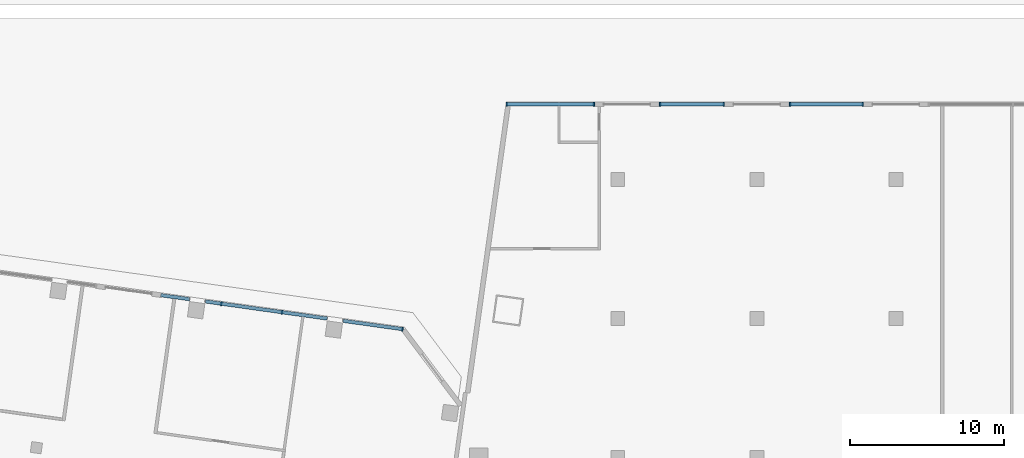
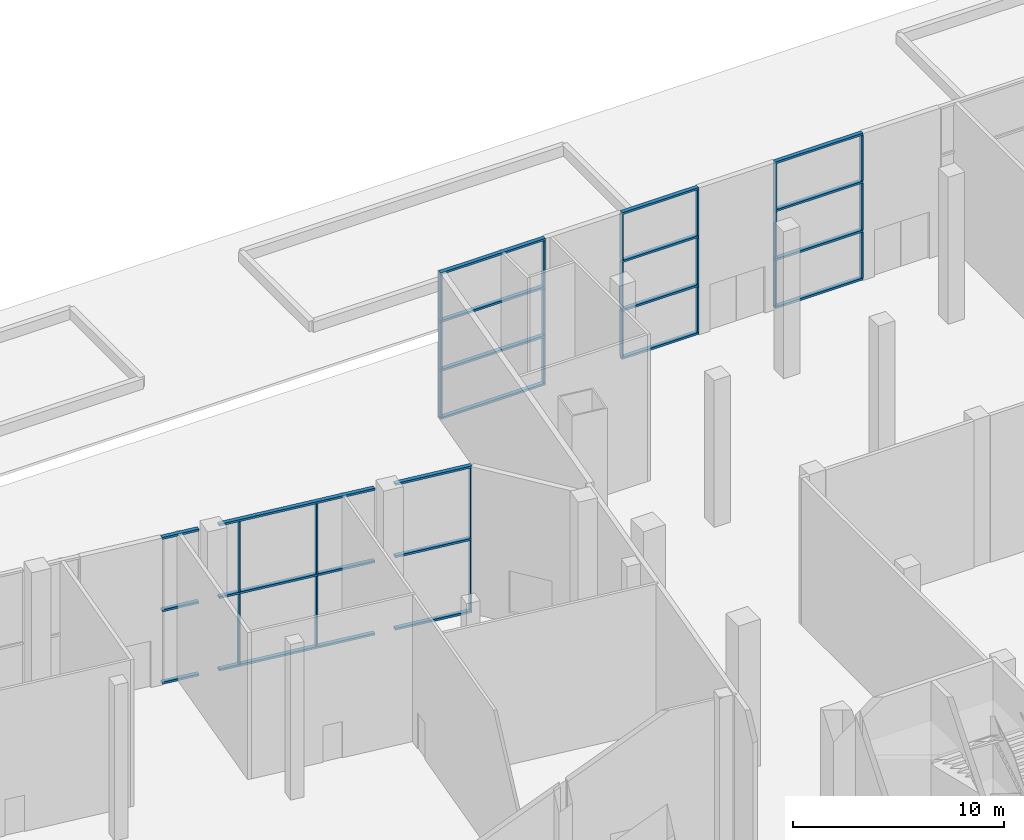
# One storey, part 5 of 34: 45 members, 4 elements without a shape of their own.
"""IFC4 building model written with IfcOpenShell, lengths in metres."""

from ifc_helpers import new_model, si_unit, direction, frame, origin, origin_2d, place, context, subcontext, project, spatial, rectangle, extrude, material, material_profile, profile_set, type_object, element, aggregate, save


model = new_model("IFC4")

# Units and contexts
model_context = context("Model", 3, precision=1e-05, world=origin(), true_north=direction((0.0, 1.0)))
body_context = subcontext(model_context, "Body", "Model", "MODEL_VIEW")
ifc_project = project(units=[si_unit("LENGTHUNIT", "METRE"), si_unit("AREAUNIT", "SQUARE_METRE"), si_unit("VOLUMEUNIT", "CUBIC_METRE"), si_unit("PLANEANGLEUNIT", "RADIAN"), si_unit("MASSUNIT", "GRAM", prefix="KILO")], contexts=[model_context])

# Site, building, storey
site_placement = place(None, origin())
site = spatial("IfcSite", under=ifc_project, at=site_placement, CompositionType="ELEMENT")
building_placement = place(site_placement, origin())
building = spatial("IfcBuilding", under=site, at=building_placement, Name="Mirante Cascada Hotel Towers", CompositionType="ELEMENT")
storey_placement = place(building_placement, origin())
storey = spatial("IfcBuildingStorey", under=building, at=storey_placement, Name="L00", CompositionType="ELEMENT", Elevation=0.0)

# Curtain wall, members
ifc_material_1 = material(Name="Aluminium mullion and transom frame with clear laminated glass", Category="aluminium")
curtain_wall_type = type_object("IfcCurtainWallType", Name="Podium curtain wall ECW3", PredefinedType="NOTDEFINED", material=ifc_material_1)
curtain_wall_1_placement = place(storey_placement, origin())
curtain_wall_1 = element("IfcCurtainWall", 1, at=curtain_wall_1_placement, inside=storey, type_object=curtain_wall_type, Name="Podium curtain wall L00 run front.7", PredefinedType="NOTDEFINED")
ifc_material_2 = material(Name="Anodised aluminium extrusion", Category="aluminium")
ifc_material_profile_1 = material_profile(ifc_material_2, rectangle(XDim=0.26, YDim=0.08, at=origin_2d()), Name="ECW3 MULLION 80x260")
ifc_profile_set_1 = profile_set([ifc_material_profile_1], Name="Anodised aluminium extrusion")
member_type_1 = type_object("IfcMemberType", Name="ECW3 mullion 80x260", PredefinedType="MULLION", material=ifc_profile_set_1)
member_1_placement = place(storey_placement, frame((-43.6571, 18.9546, 0.12), z_axis=(0.0, 0.0, 1.0), x_axis=(0.1391731, 0.9902681, 0.0)))
member_1 = element("IfcMember", 2, at=member_1_placement, type_object=member_type_1, Name="ECW3 mullion 2", PredefinedType="MULLION", context=body_context, shape_type="SweptSolid", body=[
    extrude(rectangle(XDim=0.26, YDim=0.08, at=origin_2d()), origin(), (0.0, 0.0, 1.0), 4.07),
])
member_2_placement = place(storey_placement, frame((-43.6571, 18.9546, 4.31), z_axis=(0.0, 0.0, 1.0), x_axis=(0.1391731, 0.9902681, 0.0)))
member_2 = element("IfcMember", 3, at=member_2_placement, type_object=member_type_1, Name="ECW3 mullion 2", PredefinedType="MULLION", context=body_context, shape_type="SweptSolid", body=[
    extrude(rectangle(XDim=0.26, YDim=0.08, at=origin_2d()), origin(), (0.0, 0.0, 1.0), 4.07),
])
member_3_placement = place(storey_placement, frame((-39.7362, 18.4036, 0.12), z_axis=(0.0, 0.0, 1.0), x_axis=(0.1391731, 0.9902681, 0.0)))
member_3 = element("IfcMember", 4, at=member_3_placement, type_object=member_type_1, Name="ECW3 mullion 3", PredefinedType="MULLION", context=body_context, shape_type="SweptSolid", body=[
    extrude(rectangle(XDim=0.26, YDim=0.08, at=origin_2d()), origin(), (0.0, 0.0, 1.0), 4.07),
])
member_4_placement = place(storey_placement, frame((-39.7362, 18.4036, 4.31), z_axis=(0.0, 0.0, 1.0), x_axis=(0.1391731, 0.9902681, 0.0)))
member_4 = element("IfcMember", 5, at=member_4_placement, type_object=member_type_1, Name="ECW3 mullion 3", PredefinedType="MULLION", context=body_context, shape_type="SweptSolid", body=[
    extrude(rectangle(XDim=0.26, YDim=0.08, at=origin_2d()), origin(), (0.0, 0.0, 1.0), 4.07),
])
member_5_placement = place(storey_placement, frame((-31.9339, 17.307, 0.12), z_axis=(0.0, 0.0, 1.0), x_axis=(0.1391731, 0.9902681, 0.0)))
member_5 = element("IfcMember", 6, at=member_5_placement, type_object=member_type_1, Name="ECW3 mullion 5", PredefinedType="MULLION", context=body_context, shape_type="SweptSolid", body=[
    extrude(rectangle(XDim=0.26, YDim=0.08, at=origin_2d()), origin(), (0.0, 0.0, 1.0), 4.07),
])
member_6_placement = place(storey_placement, frame((-31.9339, 17.307, 4.31), z_axis=(0.0, 0.0, 1.0), x_axis=(0.1391731, 0.9902681, 0.0)))
member_6 = element("IfcMember", 7, at=member_6_placement, type_object=member_type_1, Name="ECW3 mullion 5", PredefinedType="MULLION", context=body_context, shape_type="SweptSolid", body=[
    extrude(rectangle(XDim=0.26, YDim=0.08, at=origin_2d()), origin(), (0.0, 0.0, 1.0), 4.07),
])

curtain_wall_2_placement = place(storey_placement, origin())
curtain_wall_2 = element("IfcCurtainWall", 8, at=curtain_wall_2_placement, inside=storey, type_object=curtain_wall_type, Name="Podium curtain wall L00 run 4.5", PredefinedType="NOTDEFINED")
member_7_placement = place(storey_placement, frame((-2.14, 31.85, 0.12), z_axis=(0.0, 0.0, 1.0), x_axis=(0.0, -1.0, 0.0)))
member_7 = element("IfcMember", 9, at=member_7_placement, type_object=member_type_1, Name="ECW3 mullion 1", PredefinedType="MULLION", context=body_context, shape_type="SweptSolid", body=[
    extrude(rectangle(XDim=0.26, YDim=0.08, at=origin_2d()), origin(), (0.0, 0.0, 1.0), 2.6533),
])
member_8_placement = place(storey_placement, frame((-2.14, 31.85, 2.8933), z_axis=(0.0, 0.0, 1.0), x_axis=(0.0, -1.0, 0.0)))
member_8 = element("IfcMember", 10, at=member_8_placement, type_object=member_type_1, Name="ECW3 mullion 1", PredefinedType="MULLION", context=body_context, shape_type="SweptSolid", body=[
    extrude(rectangle(XDim=0.26, YDim=0.08, at=origin_2d()), origin(), (0.0, 0.0, 1.0), 2.7134),
])
member_9_placement = place(storey_placement, frame((-2.14, 31.85, 5.7267), z_axis=(0.0, 0.0, 1.0), x_axis=(0.0, -1.0, 0.0)))
member_9 = element("IfcMember", 11, at=member_9_placement, type_object=member_type_1, Name="ECW3 mullion 1", PredefinedType="MULLION", context=body_context, shape_type="SweptSolid", body=[
    extrude(rectangle(XDim=0.26, YDim=0.08, at=origin_2d()), origin(), (0.0, 0.0, 1.0), 2.6533),
])
member_10_placement = place(storey_placement, frame((-6.86, 31.85, 0.12), z_axis=(0.0, 0.0, 1.0), x_axis=(0.0, -1.0, 0.0)))
member_10 = element("IfcMember", 12, at=member_10_placement, type_object=member_type_1, Name="ECW3 mullion 2", PredefinedType="MULLION", context=body_context, shape_type="SweptSolid", body=[
    extrude(rectangle(XDim=0.26, YDim=0.08, at=origin_2d()), origin(), (0.0, 0.0, 1.0), 2.6533),
])
member_11_placement = place(storey_placement, frame((-6.86, 31.85, 2.8933), z_axis=(0.0, 0.0, 1.0), x_axis=(0.0, -1.0, 0.0)))
member_11 = element("IfcMember", 13, at=member_11_placement, type_object=member_type_1, Name="ECW3 mullion 2", PredefinedType="MULLION", context=body_context, shape_type="SweptSolid", body=[
    extrude(rectangle(XDim=0.26, YDim=0.08, at=origin_2d()), origin(), (0.0, 0.0, 1.0), 2.7134),
])
member_12_placement = place(storey_placement, frame((-6.86, 31.85, 5.7267), z_axis=(0.0, 0.0, 1.0), x_axis=(0.0, -1.0, 0.0)))
member_12 = element("IfcMember", 14, at=member_12_placement, type_object=member_type_1, Name="ECW3 mullion 2", PredefinedType="MULLION", context=body_context, shape_type="SweptSolid", body=[
    extrude(rectangle(XDim=0.26, YDim=0.08, at=origin_2d()), origin(), (0.0, 0.0, 1.0), 2.6533),
])

curtain_wall_3_placement = place(storey_placement, origin())
curtain_wall_3 = element("IfcCurtainWall", 15, at=curtain_wall_3_placement, inside=storey, type_object=curtain_wall_type, Name="Podium curtain wall L00 run 4.7", PredefinedType="NOTDEFINED")
member_13_placement = place(storey_placement, frame((-11.14, 31.85, 0.12), z_axis=(0.0, 0.0, 1.0), x_axis=(0.0, -1.0, 0.0)))
member_13 = element("IfcMember", 16, at=member_13_placement, type_object=member_type_1, Name="ECW3 mullion 1", PredefinedType="MULLION", context=body_context, shape_type="SweptSolid", body=[
    extrude(rectangle(XDim=0.26, YDim=0.08, at=origin_2d()), origin(), (0.0, 0.0, 1.0), 2.6533),
])
member_14_placement = place(storey_placement, frame((-11.14, 31.85, 2.8933), z_axis=(0.0, 0.0, 1.0), x_axis=(0.0, -1.0, 0.0)))
member_14 = element("IfcMember", 17, at=member_14_placement, type_object=member_type_1, Name="ECW3 mullion 1", PredefinedType="MULLION", context=body_context, shape_type="SweptSolid", body=[
    extrude(rectangle(XDim=0.26, YDim=0.08, at=origin_2d()), origin(), (0.0, 0.0, 1.0), 2.7134),
])
member_15_placement = place(storey_placement, frame((-11.14, 31.85, 5.7267), z_axis=(0.0, 0.0, 1.0), x_axis=(0.0, -1.0, 0.0)))
member_15 = element("IfcMember", 18, at=member_15_placement, type_object=member_type_1, Name="ECW3 mullion 1", PredefinedType="MULLION", context=body_context, shape_type="SweptSolid", body=[
    extrude(rectangle(XDim=0.26, YDim=0.08, at=origin_2d()), origin(), (0.0, 0.0, 1.0), 2.6533),
])
member_16_placement = place(storey_placement, frame((-15.26, 31.85, 0.12), z_axis=(0.0, 0.0, 1.0), x_axis=(0.0, -1.0, 0.0)))
member_16 = element("IfcMember", 19, at=member_16_placement, type_object=member_type_1, Name="ECW3 mullion 2", PredefinedType="MULLION", context=body_context, shape_type="SweptSolid", body=[
    extrude(rectangle(XDim=0.26, YDim=0.08, at=origin_2d()), origin(), (0.0, 0.0, 1.0), 2.6533),
])
member_17_placement = place(storey_placement, frame((-15.26, 31.85, 2.8933), z_axis=(0.0, 0.0, 1.0), x_axis=(0.0, -1.0, 0.0)))
member_17 = element("IfcMember", 20, at=member_17_placement, type_object=member_type_1, Name="ECW3 mullion 2", PredefinedType="MULLION", context=body_context, shape_type="SweptSolid", body=[
    extrude(rectangle(XDim=0.26, YDim=0.08, at=origin_2d()), origin(), (0.0, 0.0, 1.0), 2.7134),
])
member_18_placement = place(storey_placement, frame((-15.26, 31.85, 5.7267), z_axis=(0.0, 0.0, 1.0), x_axis=(0.0, -1.0, 0.0)))
member_18 = element("IfcMember", 21, at=member_18_placement, type_object=member_type_1, Name="ECW3 mullion 2", PredefinedType="MULLION", context=body_context, shape_type="SweptSolid", body=[
    extrude(rectangle(XDim=0.26, YDim=0.08, at=origin_2d()), origin(), (0.0, 0.0, 1.0), 2.6533),
])

curtain_wall_4_placement = place(storey_placement, origin())
curtain_wall_4 = element("IfcCurtainWall", 22, at=curtain_wall_4_placement, inside=storey, type_object=curtain_wall_type, Name="Podium curtain wall L00 run 4.9", PredefinedType="NOTDEFINED")
member_19_placement = place(storey_placement, frame((-19.54, 31.85, 0.12), z_axis=(0.0, 0.0, 1.0), x_axis=(0.0, -1.0, 0.0)))
member_19 = element("IfcMember", 23, at=member_19_placement, type_object=member_type_1, Name="ECW3 mullion 1", PredefinedType="MULLION", context=body_context, shape_type="SweptSolid", body=[
    extrude(rectangle(XDim=0.26, YDim=0.08, at=origin_2d()), origin(), (0.0, 0.0, 1.0), 2.6533),
])
member_20_placement = place(storey_placement, frame((-19.54, 31.85, 2.8933), z_axis=(0.0, 0.0, 1.0), x_axis=(0.0, -1.0, 0.0)))
member_20 = element("IfcMember", 24, at=member_20_placement, type_object=member_type_1, Name="ECW3 mullion 1", PredefinedType="MULLION", context=body_context, shape_type="SweptSolid", body=[
    extrude(rectangle(XDim=0.26, YDim=0.08, at=origin_2d()), origin(), (0.0, 0.0, 1.0), 2.7134),
])
member_21_placement = place(storey_placement, frame((-19.54, 31.85, 5.7267), z_axis=(0.0, 0.0, 1.0), x_axis=(0.0, -1.0, 0.0)))
member_21 = element("IfcMember", 25, at=member_21_placement, type_object=member_type_1, Name="ECW3 mullion 1", PredefinedType="MULLION", context=body_context, shape_type="SweptSolid", body=[
    extrude(rectangle(XDim=0.26, YDim=0.08, at=origin_2d()), origin(), (0.0, 0.0, 1.0), 2.6533),
])
member_22_placement = place(storey_placement, frame((-25.1816, 31.85, 0.12), z_axis=(0.0, 0.0, 1.0), x_axis=(0.0, -1.0, 0.0)))
member_22 = element("IfcMember", 26, at=member_22_placement, type_object=member_type_1, Name="ECW3 mullion 2", PredefinedType="MULLION", context=body_context, shape_type="SweptSolid", body=[
    extrude(rectangle(XDim=0.26, YDim=0.08, at=origin_2d()), origin(), (0.0, 0.0, 1.0), 2.6533),
])
member_23_placement = place(storey_placement, frame((-25.1816, 31.85, 2.8933), z_axis=(0.0, 0.0, 1.0), x_axis=(0.0, -1.0, 0.0)))
member_23 = element("IfcMember", 27, at=member_23_placement, type_object=member_type_1, Name="ECW3 mullion 2", PredefinedType="MULLION", context=body_context, shape_type="SweptSolid", body=[
    extrude(rectangle(XDim=0.26, YDim=0.08, at=origin_2d()), origin(), (0.0, 0.0, 1.0), 2.7134),
])
member_24_placement = place(storey_placement, frame((-25.1816, 31.85, 5.7267), z_axis=(0.0, 0.0, 1.0), x_axis=(0.0, -1.0, 0.0)))
member_24 = element("IfcMember", 28, at=member_24_placement, type_object=member_type_1, Name="ECW3 mullion 2", PredefinedType="MULLION", context=body_context, shape_type="SweptSolid", body=[
    extrude(rectangle(XDim=0.26, YDim=0.08, at=origin_2d()), origin(), (0.0, 0.0, 1.0), 2.6533),
])

# Member
ifc_material_3 = material(Name="Anodised aluminium extrusion", Category="aluminium")
ifc_material_profile_2 = material_profile(ifc_material_3, rectangle(XDim=0.22, YDim=0.12, at=origin_2d()), Name="ECW3 TRANSOM 120x220")
ifc_profile_set_2 = profile_set([ifc_material_profile_2], Name="Anodised aluminium extrusion")
member_type_2 = type_object("IfcMemberType", Name="ECW3 transom 120x220", PredefinedType="USERDEFINED", material=ifc_profile_set_2)
member_25_placement = place(storey_placement, frame((-47.5781, 19.5057, 0.06), z_axis=(0.990264, -0.1392019, 0.0), x_axis=(0.1392019, 0.990264, 0.0)))
member_25 = element("IfcMember", 29, at=member_25_placement, type_object=member_type_2, Name="ECW3 sill transom", ObjectType="TRANSOM", PredefinedType="USERDEFINED", context=body_context, shape_type="SweptSolid", body=[
    extrude(rectangle(XDim=0.22, YDim=0.12, at=origin_2d()), origin(), (0.0, 0.0, 1.0), 1.88),
])

member_26_placement = place(storey_placement, frame((-44.6865, 19.0993, 0.06), z_axis=(0.9902685, -0.1391698, 0.0), x_axis=(0.1391698, 0.9902685, 0.0)))
member_26 = element("IfcMember", 30, at=member_26_placement, type_object=member_type_2, Name="ECW3 sill transom", ObjectType="TRANSOM", PredefinedType="USERDEFINED", context=body_context, shape_type="SweptSolid", body=[
    extrude(rectangle(XDim=0.22, YDim=0.12, at=origin_2d()), origin(), (0.0, 0.0, 1.0), 7.9601),
])

member_27_placement = place(storey_placement, frame((-35.7741, 17.8467, 0.06), z_axis=(0.9902705, -0.1391555, 0.0), x_axis=(0.1391555, 0.9902705, 0.0)))
member_27 = element("IfcMember", 31, at=member_27_placement, type_object=member_type_2, Name="ECW3 sill transom", ObjectType="TRANSOM", PredefinedType="USERDEFINED", context=body_context, shape_type="SweptSolid", body=[
    extrude(rectangle(XDim=0.22, YDim=0.12, at=origin_2d()), origin(), (0.0, 0.0, 1.0), 3.9179),
])

member_28_placement = place(storey_placement, frame((-47.5781, 19.5057, 4.25), z_axis=(0.990264, -0.1392019, 0.0), x_axis=(0.1392019, 0.990264, 0.0)))
member_28 = element("IfcMember", 32, at=member_28_placement, type_object=member_type_2, Name="ECW3 intermediate transom", ObjectType="TRANSOM", PredefinedType="USERDEFINED", context=body_context, shape_type="SweptSolid", body=[
    extrude(rectangle(XDim=0.22, YDim=0.12, at=origin_2d()), origin(), (0.0, 0.0, 1.0), 1.88),
])

member_29_placement = place(storey_placement, frame((-44.6865, 19.0993, 4.25), z_axis=(0.9902685, -0.1391698, 0.0), x_axis=(0.1391698, 0.9902685, 0.0)))
member_29 = element("IfcMember", 33, at=member_29_placement, type_object=member_type_2, Name="ECW3 intermediate transom", ObjectType="TRANSOM", PredefinedType="USERDEFINED", context=body_context, shape_type="SweptSolid", body=[
    extrude(rectangle(XDim=0.22, YDim=0.12, at=origin_2d()), origin(), (0.0, 0.0, 1.0), 7.9601),
])

member_30_placement = place(storey_placement, frame((-35.7741, 17.8467, 4.25), z_axis=(0.9902705, -0.1391555, 0.0), x_axis=(0.1391555, 0.9902705, 0.0)))
member_30 = element("IfcMember", 34, at=member_30_placement, type_object=member_type_2, Name="ECW3 intermediate transom", ObjectType="TRANSOM", PredefinedType="USERDEFINED", context=body_context, shape_type="SweptSolid", body=[
    extrude(rectangle(XDim=0.22, YDim=0.12, at=origin_2d()), origin(), (0.0, 0.0, 1.0), 3.9179),
])

member_31_placement = place(storey_placement, frame((-47.5781, 19.5057, 8.44), z_axis=(0.990264, -0.1392019, 0.0), x_axis=(0.1392019, 0.990264, 0.0)))
member_31 = element("IfcMember", 35, at=member_31_placement, type_object=member_type_2, Name="ECW3 head transom", ObjectType="TRANSOM", PredefinedType="USERDEFINED", context=body_context, shape_type="SweptSolid", body=[
    extrude(rectangle(XDim=0.22, YDim=0.12, at=origin_2d()), origin(), (0.0, 0.0, 1.0), 1.88),
])

member_32_placement = place(storey_placement, frame((-44.6865, 19.0993, 8.44), z_axis=(0.9902685, -0.1391698, 0.0), x_axis=(0.1391698, 0.9902685, 0.0)))
member_32 = element("IfcMember", 36, at=member_32_placement, type_object=member_type_2, Name="ECW3 head transom", ObjectType="TRANSOM", PredefinedType="USERDEFINED", context=body_context, shape_type="SweptSolid", body=[
    extrude(rectangle(XDim=0.22, YDim=0.12, at=origin_2d()), origin(), (0.0, 0.0, 1.0), 7.9601),
])

member_33_placement = place(storey_placement, frame((-35.7741, 17.8467, 8.44), z_axis=(0.9902705, -0.1391555, 0.0), x_axis=(0.1391555, 0.9902705, 0.0)))
member_33 = element("IfcMember", 37, at=member_33_placement, type_object=member_type_2, Name="ECW3 head transom", ObjectType="TRANSOM", PredefinedType="USERDEFINED", context=body_context, shape_type="SweptSolid", body=[
    extrude(rectangle(XDim=0.22, YDim=0.12, at=origin_2d()), origin(), (0.0, 0.0, 1.0), 3.9179),
])

aggregate(curtain_wall_1, [member_25, member_26, member_27, member_28, member_29, member_30, member_31, member_32, member_33, member_1, member_2, member_3, member_4, member_5, member_6])

member_34_placement = place(storey_placement, frame((-2.1, 31.85, 0.06), z_axis=(-1.0, 0.0, 0.0), x_axis=(0.0, -1.0, 0.0)))
member_34 = element("IfcMember", 38, at=member_34_placement, type_object=member_type_2, Name="ECW3 sill transom", ObjectType="TRANSOM", PredefinedType="USERDEFINED", context=body_context, shape_type="SweptSolid", body=[
    extrude(rectangle(XDim=0.22, YDim=0.12, at=origin_2d()), origin(), (0.0, 0.0, 1.0), 4.8),
])

member_35_placement = place(storey_placement, frame((-2.1, 31.85, 2.8333), z_axis=(-1.0, 0.0, 0.0), x_axis=(0.0, -1.0, 0.0)))
member_35 = element("IfcMember", 39, at=member_35_placement, type_object=member_type_2, Name="ECW3 intermediate transom", ObjectType="TRANSOM", PredefinedType="USERDEFINED", context=body_context, shape_type="SweptSolid", body=[
    extrude(rectangle(XDim=0.22, YDim=0.12, at=origin_2d()), origin(), (0.0, 0.0, 1.0), 4.8),
])

member_36_placement = place(storey_placement, frame((-2.1, 31.85, 5.6667), z_axis=(-1.0, 0.0, 0.0), x_axis=(0.0, -1.0, 0.0)))
member_36 = element("IfcMember", 40, at=member_36_placement, type_object=member_type_2, Name="ECW3 intermediate transom", ObjectType="TRANSOM", PredefinedType="USERDEFINED", context=body_context, shape_type="SweptSolid", body=[
    extrude(rectangle(XDim=0.22, YDim=0.12, at=origin_2d()), origin(), (0.0, 0.0, 1.0), 4.8),
])

member_37_placement = place(storey_placement, frame((-2.1, 31.85, 8.44), z_axis=(-1.0, 0.0, 0.0), x_axis=(0.0, -1.0, 0.0)))
member_37 = element("IfcMember", 41, at=member_37_placement, type_object=member_type_2, Name="ECW3 head transom", ObjectType="TRANSOM", PredefinedType="USERDEFINED", context=body_context, shape_type="SweptSolid", body=[
    extrude(rectangle(XDim=0.22, YDim=0.12, at=origin_2d()), origin(), (0.0, 0.0, 1.0), 4.8),
])

aggregate(curtain_wall_2, [member_34, member_35, member_36, member_37, member_7, member_8, member_9, member_10, member_11, member_12])

member_38_placement = place(storey_placement, frame((-11.1, 31.85, 0.06), z_axis=(-1.0, 0.0, 0.0), x_axis=(0.0, -1.0, 0.0)))
member_38 = element("IfcMember", 42, at=member_38_placement, type_object=member_type_2, Name="ECW3 sill transom", ObjectType="TRANSOM", PredefinedType="USERDEFINED", context=body_context, shape_type="SweptSolid", body=[
    extrude(rectangle(XDim=0.22, YDim=0.12, at=origin_2d()), origin(), (0.0, 0.0, 1.0), 4.2),
])

member_39_placement = place(storey_placement, frame((-11.1, 31.85, 2.8333), z_axis=(-1.0, 0.0, 0.0), x_axis=(0.0, -1.0, 0.0)))
member_39 = element("IfcMember", 43, at=member_39_placement, type_object=member_type_2, Name="ECW3 intermediate transom", ObjectType="TRANSOM", PredefinedType="USERDEFINED", context=body_context, shape_type="SweptSolid", body=[
    extrude(rectangle(XDim=0.22, YDim=0.12, at=origin_2d()), origin(), (0.0, 0.0, 1.0), 4.2),
])

member_40_placement = place(storey_placement, frame((-11.1, 31.85, 5.6667), z_axis=(-1.0, 0.0, 0.0), x_axis=(0.0, -1.0, 0.0)))
member_40 = element("IfcMember", 44, at=member_40_placement, type_object=member_type_2, Name="ECW3 intermediate transom", ObjectType="TRANSOM", PredefinedType="USERDEFINED", context=body_context, shape_type="SweptSolid", body=[
    extrude(rectangle(XDim=0.22, YDim=0.12, at=origin_2d()), origin(), (0.0, 0.0, 1.0), 4.2),
])

member_41_placement = place(storey_placement, frame((-11.1, 31.85, 8.44), z_axis=(-1.0, 0.0, 0.0), x_axis=(0.0, -1.0, 0.0)))
member_41 = element("IfcMember", 45, at=member_41_placement, type_object=member_type_2, Name="ECW3 head transom", ObjectType="TRANSOM", PredefinedType="USERDEFINED", context=body_context, shape_type="SweptSolid", body=[
    extrude(rectangle(XDim=0.22, YDim=0.12, at=origin_2d()), origin(), (0.0, 0.0, 1.0), 4.2),
])

aggregate(curtain_wall_3, [member_38, member_39, member_40, member_41, member_13, member_14, member_15, member_16, member_17, member_18])

member_42_placement = place(storey_placement, frame((-19.5, 31.85, 0.06), z_axis=(-1.0, 0.0, 0.0), x_axis=(0.0, -1.0, 0.0)))
member_42 = element("IfcMember", 46, at=member_42_placement, type_object=member_type_2, Name="ECW3 sill transom", ObjectType="TRANSOM", PredefinedType="USERDEFINED", context=body_context, shape_type="SweptSolid", body=[
    extrude(rectangle(XDim=0.22, YDim=0.12, at=origin_2d()), origin(), (0.0, 0.0, 1.0), 5.7216),
])

member_43_placement = place(storey_placement, frame((-19.5, 31.85, 2.8333), z_axis=(-1.0, 0.0, 0.0), x_axis=(0.0, -1.0, 0.0)))
member_43 = element("IfcMember", 47, at=member_43_placement, type_object=member_type_2, Name="ECW3 intermediate transom", ObjectType="TRANSOM", PredefinedType="USERDEFINED", context=body_context, shape_type="SweptSolid", body=[
    extrude(rectangle(XDim=0.22, YDim=0.12, at=origin_2d()), origin(), (0.0, 0.0, 1.0), 5.7216),
])

member_44_placement = place(storey_placement, frame((-19.5, 31.85, 5.6667), z_axis=(-1.0, 0.0, 0.0), x_axis=(0.0, -1.0, 0.0)))
member_44 = element("IfcMember", 48, at=member_44_placement, type_object=member_type_2, Name="ECW3 intermediate transom", ObjectType="TRANSOM", PredefinedType="USERDEFINED", context=body_context, shape_type="SweptSolid", body=[
    extrude(rectangle(XDim=0.22, YDim=0.12, at=origin_2d()), origin(), (0.0, 0.0, 1.0), 5.7216),
])

member_45_placement = place(storey_placement, frame((-19.5, 31.85, 8.44), z_axis=(-1.0, 0.0, 0.0), x_axis=(0.0, -1.0, 0.0)))
member_45 = element("IfcMember", 49, at=member_45_placement, type_object=member_type_2, Name="ECW3 head transom", ObjectType="TRANSOM", PredefinedType="USERDEFINED", context=body_context, shape_type="SweptSolid", body=[
    extrude(rectangle(XDim=0.22, YDim=0.12, at=origin_2d()), origin(), (0.0, 0.0, 1.0), 5.7216),
])

aggregate(curtain_wall_4, [member_42, member_43, member_44, member_45, member_19, member_20, member_21, member_22, member_23, member_24])

save(model, "model.ifc")
